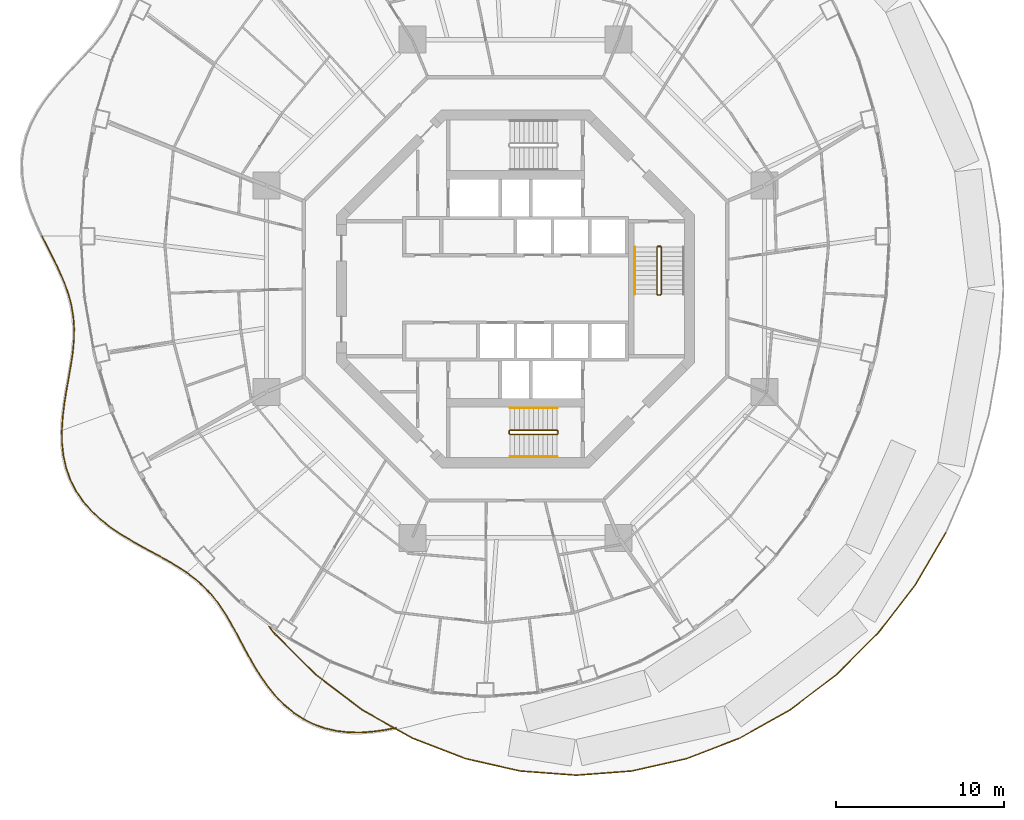
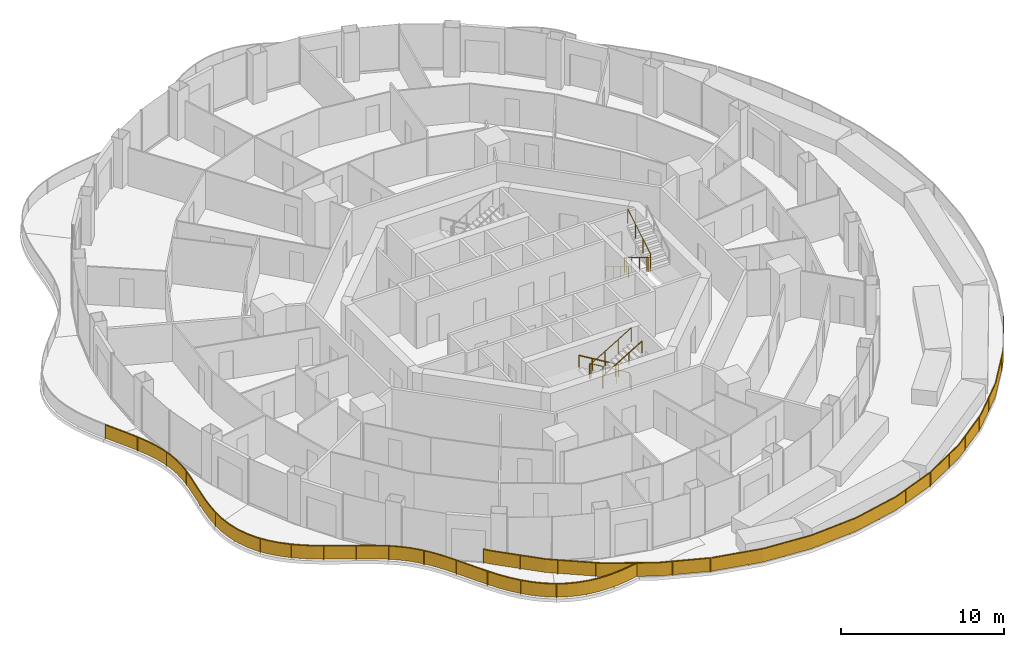
# One storey, part 16 of 18: 12 railings.
"""IFC4 building model written with IfcOpenShell, lengths in metres."""

from ifc_helpers import new_model, si_unit, direction, frame, origin, origin_2d, place, context, subcontext, project, spatial, polyline, rectangle, circle, outline, extrude, material, type_object, element, save


model = new_model("IFC4")

# Units and contexts
model_context = context("Model", 3, precision=1e-05, world=origin(), true_north=direction((0.0, 1.0)))
body_context = subcontext(model_context, "Body", "Model", "MODEL_VIEW")
ifc_project = project(units=[si_unit("LENGTHUNIT", "METRE"), si_unit("AREAUNIT", "SQUARE_METRE"), si_unit("VOLUMEUNIT", "CUBIC_METRE"), si_unit("PLANEANGLEUNIT", "RADIAN"), si_unit("MASSUNIT", "GRAM", prefix="KILO")], contexts=[model_context])

# Site, building, storey
site_placement = place(None, origin())
site = spatial("IfcSite", under=ifc_project, at=site_placement, CompositionType="ELEMENT")
building_placement = place(site_placement, origin())
building = spatial("IfcBuilding", under=site, at=building_placement, Name="Nagisa Residences", CompositionType="ELEMENT")
storey_placement = place(building_placement, frame((0.0, 0.0, 212.199951171875)))
storey = spatial("IfcBuildingStorey", under=building, at=storey_placement, Name="L53", CompositionType="ELEMENT", Elevation=212.199951171875)

# Railings
ifc_material_1 = material(Name="Stainless steel 316", Category="steel")
railing_type_1 = type_object("IfcRailingType", Name="BALCONY GUARD 1100", PredefinedType="BALUSTRADE", material=ifc_material_1)
railing_1_placement = place(storey_placement, frame((-28.10009765625, 3.11767578125, 0.0)))
element("IfcRailing", 1, at=railing_1_placement, inside=storey, type_object=railing_type_1, Name="guard:L53:bal08-0", PredefinedType="BALUSTRADE", context=body_context, shape_type="SweptSolid", body=[
    extrude(outline(polyline([(0.377197265625, -0.693115234375), (0.0224609375, 0.01123046875), (-0.0224609375, -0.01123046875), (0.332275390625, -0.715576171875), (0.68310546875, -1.412353515625), (1.01171875, -2.09619140625), (1.3017578125, -2.770751953125), (1.54052734375, -3.4404296875), (1.717529296875, -4.09619140625), (1.8310546875, -4.771484375), (1.87939453125, -5.4580078125), (1.866943359375, -6.159912109375), (1.801513671875, -6.880615234375), (1.69287109375, -7.60791015625), (1.5625, -8.36865234375), (1.4248046875, -9.1474609375), (1.29833984375, -9.939453125), (1.2021484375, -10.73876953125), (1.1513671875, -11.530517578125), (1.201171875, -11.533935546875), (1.251953125, -10.7431640625), (1.34814453125, -9.9462890625), (1.47412109375, -9.15576171875), (1.61181640625, -8.37744140625), (1.7421875, -7.61572265625), (1.851318359375, -6.886474609375), (1.916748046875, -6.162841796875), (1.9296875, -5.45654296875), (1.880859375, -4.765625), (1.766357421875, -4.08544921875), (1.58837890625, -3.42529296875), (1.34814453125, -2.752197265625), (1.05712890625, -2.07568359375), (0.72802734375, -1.390380859375), (0.377197265625, -0.693115234375)])), frame((0.0, 0.0, 1.050048828125)), (0.0, 0.0, 1.0), 0.050048828125),
    extrude(outline(polyline([(0.361083984375, -0.701171875), (0.00634765625, 0.003173828125), (-0.00634765625, -0.003173828125), (0.348388671875, -0.70751953125), (0.69921875, -1.404541015625), (1.028076171875, -2.0888671875), (1.318359375, -2.763916015625), (1.557861328125, -3.43505859375), (1.735107421875, -4.09228515625), (1.848876953125, -4.769287109375), (1.8974609375, -5.45751953125), (1.884765625, -6.160888671875), (1.819580078125, -6.8828125), (1.710693359375, -7.610595703125), (1.580322265625, -8.371826171875), (1.442626953125, -9.150390625), (1.31640625, -9.94189453125), (1.219970703125, -10.740234375), (1.169189453125, -11.53173828125), (1.183349609375, -11.53271484375), (1.234130859375, -10.74169921875), (1.330078125, -9.94384765625), (1.456298828125, -9.15283203125), (1.593994140625, -8.374267578125), (1.724365234375, -7.613037109375), (1.833251953125, -6.88427734375), (1.89892578125, -6.161865234375), (1.91162109375, -5.45703125), (1.863037109375, -4.767822265625), (1.748779296875, -4.08935546875), (1.571044921875, -3.4306640625), (1.33154296875, -2.759033203125), (1.040771484375, -2.0830078125), (0.7119140625, -1.398193359375), (0.361083984375, -0.701171875)])), frame((0.0, 0.0, 0.06005859375)), (0.0, 0.0, 1.0), 0.989990234375),
    extrude(rectangle(XDim=0.0400390625, YDim=0.0400390625, at=origin_2d()), origin(), (0.0, 0.0, 1.0), 1.050048828125),
    extrude(rectangle(XDim=0.0400390625, YDim=0.0400390625, at=origin_2d()), frame((1.059814453125, -2.144775390625, 0.0)), (0.0, 0.0, 1.0), 1.050048828125),
    extrude(rectangle(XDim=0.0400390625, YDim=0.0400390625, at=origin_2d()), frame((1.796142578125, -4.4130859375, 0.0)), (0.0, 0.0, 1.0), 1.050048828125),
    extrude(rectangle(XDim=0.0400390625, YDim=0.0400390625, at=origin_2d()), frame((1.834228515625, -6.796142578125, 0.0)), (0.0, 0.0, 1.0), 1.050048828125),
    extrude(rectangle(XDim=0.0400390625, YDim=0.0400390625, at=origin_2d()), frame((1.448486328125, -9.156982421875, 0.0)), (0.0, 0.0, 1.0), 1.050048828125),
    extrude(rectangle(XDim=0.0400390625, YDim=0.0400390625, at=origin_2d()), frame((1.17626953125, -11.5322265625, 0.0)), (0.0, 0.0, 1.0), 1.050048828125),
])
railing_2_placement = place(storey_placement, frame((-26.923828125, -8.41455078125, 0.0)))
element("IfcRailing", 2, at=railing_2_placement, inside=storey, type_object=railing_type_1, Name="guard:L53:bal09-0", PredefinedType="BALUSTRADE", context=body_context, shape_type="SweptSolid", body=[
    extrude(outline(polyline([(0.035400390625, -0.7568359375), (0.02490234375, 0.000244140625), (-0.02490234375, -0.000244140625), (-0.014404296875, -0.759765625), (0.06982421875, -1.51123046875), (0.233642578125, -2.23876953125), (0.48193359375, -2.9345703125), (0.815185546875, -3.59228515625), (1.2236328125, -4.194580078125), (1.714599609375, -4.76416015625), (2.27099609375, -5.28759765625), (2.880126953125, -5.766845703125), (3.52880859375, -6.206298828125), (4.1923828125, -6.599609375), (4.872314453125, -6.98046875), (5.54638671875, -7.346435546875), (6.20068359375, -7.7080078125), (6.82470703125, -8.07666015625), (7.40625, -8.45751953125), (7.43359375, -8.41552734375), (6.85107421875, -8.0341796875), (6.2255859375, -7.66455078125), (5.5703125, -7.302490234375), (4.896728515625, -6.9365234375), (4.21728515625, -6.55615234375), (3.5556640625, -6.163818359375), (2.909912109375, -5.726318359375), (2.3037109375, -5.24951171875), (1.750732421875, -4.7294921875), (1.263671875, -4.164306640625), (0.858154296875, -3.56689453125), (0.52783203125, -2.91455078125), (0.281982421875, -2.224609375), (0.119140625, -1.5029296875), (0.035400390625, -0.7568359375)])), frame((0.0, 0.0, 1.050048828125)), (0.0, 0.0, 1.0), 0.050048828125),
    extrude(outline(polyline([(0.017578125, -0.7578125), (0.007080078125, 0.0), (-0.007080078125, 0.0), (0.00341796875, -0.7587890625), (0.087646484375, -1.50830078125), (0.2509765625, -2.233642578125), (0.49853515625, -2.92724609375), (0.83056640625, -3.583251953125), (1.238037109375, -4.18359375), (1.7275390625, -4.751708984375), (2.28271484375, -5.27392578125), (2.890869140625, -5.752197265625), (3.53857421875, -6.19091796875), (4.201416015625, -6.583984375), (4.881103515625, -6.964599609375), (5.554931640625, -7.33056640625), (6.209716796875, -7.6923828125), (6.834228515625, -8.061279296875), (7.416015625, -8.4423828125), (7.423828125, -8.4306640625), (6.841552734375, -8.049560546875), (6.216552734375, -7.68017578125), (5.561767578125, -7.318359375), (4.887939453125, -6.952392578125), (4.208251953125, -6.57177734375), (3.5458984375, -6.17919921875), (2.899169921875, -5.740966796875), (2.2919921875, -5.26318359375), (1.73779296875, -4.741943359375), (1.249267578125, -4.17529296875), (0.8427734375, -3.575927734375), (0.51123046875, -2.921875), (0.2646484375, -2.229736328125), (0.101318359375, -1.505859375), (0.017578125, -0.7578125)])), frame((0.0, 0.0, 0.06005859375)), (0.0, 0.0, 1.0), 0.989990234375),
    extrude(rectangle(XDim=0.0400390625, YDim=0.0400390625, at=origin_2d()), origin(), (0.0, 0.0, 1.0), 1.050048828125),
    extrude(rectangle(XDim=0.0400390625, YDim=0.0400390625, at=origin_2d()), frame((0.201904296875, -1.9833984375, 0.0)), (0.0, 0.0, 1.0), 1.050048828125),
    extrude(rectangle(XDim=0.0400390625, YDim=0.0400390625, at=origin_2d()), frame((0.991455078125, -3.8076171875, 0.0)), (0.0, 0.0, 1.0), 1.050048828125),
    extrude(rectangle(XDim=0.0400390625, YDim=0.0400390625, at=origin_2d()), frame((2.319091796875, -5.29345703125, 0.0)), (0.0, 0.0, 1.0), 1.050048828125),
    extrude(rectangle(XDim=0.0400390625, YDim=0.0400390625, at=origin_2d()), frame((3.959716796875, -6.4326171875, 0.0)), (0.0, 0.0, 1.0), 1.050048828125),
    extrude(rectangle(XDim=0.0400390625, YDim=0.0400390625, at=origin_2d()), frame((5.70654296875, -7.406494140625, 0.0)), (0.0, 0.0, 1.0), 1.050048828125),
    extrude(rectangle(XDim=0.0400390625, YDim=0.0400390625, at=origin_2d()), frame((7.419921875, -8.4365234375, 0.0)), (0.0, 0.0, 1.0), 1.050048828125),
])
railing_3_placement = place(storey_placement, frame((-19.50390625, -16.85107421875, 0.0)))
element("IfcRailing", 3, at=railing_3_placement, inside=storey, type_object=railing_type_1, Name="guard:L53:bal10-0", PredefinedType="BALUSTRADE", context=body_context, shape_type="SweptSolid", body=[
    extrude(outline(polyline([(0.52978515625, -0.369384765625), (0.01513671875, 0.02001953125), (-0.01513671875, -0.02001953125), (0.498046875, -0.407958984375), (0.97509765625, -0.8330078125), (1.4130859375, -1.29443359375), (1.815673828125, -1.7958984375), (2.189453125, -2.33740234375), (2.530029296875, -2.90576171875), (2.87158203125, -3.517822265625), (3.211669921875, -4.154296875), (3.560791015625, -4.80615234375), (3.928955078125, -5.461181640625), (4.3125, -6.09765625), (4.74365234375, -6.71923828125), (5.217041015625, -7.3037109375), (5.7353515625, -7.838134765625), (6.299560546875, -8.31103515625), (6.8994140625, -8.707763671875), (6.92724609375, -8.666259765625), (6.329345703125, -8.27099609375), (5.76953125, -7.801513671875), (5.254638671875, -7.2705078125), (4.78369140625, -6.68896484375), (4.3544921875, -6.0703125), (3.972412109375, -5.435791015625), (3.604736328125, -4.7822265625), (3.255615234375, -4.130859375), (2.91552734375, -3.493896484375), (2.573486328125, -2.880859375), (2.2314453125, -2.31005859375), (1.855712890625, -1.76611328125), (1.45068359375, -1.26171875), (1.009765625, -0.796875), (0.52978515625, -0.369384765625)])), frame((0.0, 0.0, 1.050048828125)), (0.0, 0.0, 1.0), 0.050048828125),
    extrude(outline(polyline([(0.518310546875, -0.38330078125), (0.004150390625, 0.005615234375), (-0.004150390625, -0.005615234375), (0.509521484375, -0.39404296875), (0.987548828125, -0.820068359375), (1.426513671875, -1.28271484375), (1.830078125, -1.78515625), (2.20458984375, -2.32763671875), (2.545654296875, -2.896728515625), (2.887451171875, -3.50927734375), (3.2275390625, -4.14599609375), (3.57666015625, -4.797607421875), (3.944580078125, -5.451904296875), (4.32763671875, -6.087890625), (4.758056640625, -6.708251953125), (5.230712890625, -7.291748046875), (5.74755859375, -7.824951171875), (6.310302734375, -8.296630859375), (6.909423828125, -8.69287109375), (6.917236328125, -8.68115234375), (6.318603515625, -8.285400390625), (5.75732421875, -7.814697265625), (5.240966796875, -7.282470703125), (4.769287109375, -6.699951171875), (4.33935546875, -6.080078125), (3.956787109375, -5.445068359375), (3.5888671875, -4.790771484375), (3.23974609375, -4.13916015625), (2.899658203125, -3.50244140625), (2.557861328125, -2.889892578125), (2.21630859375, -2.31982421875), (1.84130859375, -1.77685546875), (1.437255859375, -1.2734375), (0.997314453125, -0.809814453125), (0.518310546875, -0.38330078125)])), frame((0.0, 0.0, 0.06005859375)), (0.0, 0.0, 1.0), 0.989990234375),
    extrude(rectangle(XDim=0.0400390625, YDim=0.0400390625, at=origin_2d()), origin(), (0.0, 0.0, 1.0), 1.050048828125),
    extrude(rectangle(XDim=0.0400390625, YDim=0.0400390625, at=origin_2d()), frame((1.6357421875, -1.531982421875, 0.0)), (0.0, 0.0, 1.0), 1.050048828125),
    extrude(rectangle(XDim=0.0400390625, YDim=0.0400390625, at=origin_2d()), frame((2.84716796875, -3.422607421875, 0.0)), (0.0, 0.0, 1.0), 1.050048828125),
    extrude(rectangle(XDim=0.0400390625, YDim=0.0400390625, at=origin_2d()), frame((3.92236328125, -5.39794921875, 0.0)), (0.0, 0.0, 1.0), 1.050048828125),
    extrude(rectangle(XDim=0.0400390625, YDim=0.0400390625, at=origin_2d()), frame((5.20068359375, -7.243896484375, 0.0)), (0.0, 0.0, 1.0), 1.050048828125),
    extrude(rectangle(XDim=0.0400390625, YDim=0.0400390625, at=origin_2d()), frame((6.913330078125, -8.68701171875, 0.0)), (0.0, 0.0, 1.0), 1.050048828125),
])
railing_4_placement = place(storey_placement, frame((-12.590576171875, -25.5380859375, 0.0)))
element("IfcRailing", 4, at=railing_4_placement, inside=storey, type_object=railing_type_1, Name="guard:L53:bal11-0", PredefinedType="BALUSTRADE", context=body_context, shape_type="SweptSolid", body=[
    extrude(outline(polyline([(0.62548828125, -0.285400390625), (0.01123046875, 0.0224609375), (-0.01123046875, -0.0224609375), (0.60595703125, -0.331298828125), (1.26611328125, -0.568115234375), (1.953857421875, -0.727783203125), (2.6630859375, -0.8125), (3.385986328125, -0.827880859375), (4.098388671875, -0.775390625), (4.826904296875, -0.676025390625), (5.5126953125, -0.543701171875), (5.50341796875, -0.494384765625), (4.818603515625, -0.626708984375), (4.093017578125, -0.7255859375), (3.384521484375, -0.777587890625), (2.66650390625, -0.7626953125), (1.962646484375, -0.678466796875), (1.2802734375, -0.520263671875), (0.62548828125, -0.285400390625)])), frame((0.0, 0.0, 1.050048828125)), (0.0, 0.0, 1.0), 0.050048828125),
    extrude(outline(polyline([(0.618408203125, -0.302001953125), (0.003173828125, 0.00634765625), (-0.003173828125, -0.00634765625), (0.613037109375, -0.314697265625), (1.271240234375, -0.551025390625), (1.95703125, -0.7099609375), (2.664306640625, -0.794677734375), (3.385498046875, -0.809814453125), (4.096435546875, -0.757568359375), (4.823974609375, -0.658203125), (5.50927734375, -0.52587890625), (5.5068359375, -0.51220703125), (4.821533203125, -0.64453125), (4.094970703125, -0.743408203125), (3.385009765625, -0.795654296875), (2.665283203125, -0.780517578125), (1.95947265625, -0.6962890625), (1.275146484375, -0.537353515625), (0.618408203125, -0.302001953125)])), frame((0.0, 0.0, 0.06005859375)), (0.0, 0.0, 1.0), 0.989990234375),
    extrude(rectangle(XDim=0.0400390625, YDim=0.0400390625, at=origin_2d()), origin(), (0.0, 0.0, 1.0), 1.050048828125),
    extrude(rectangle(XDim=0.0400390625, YDim=0.0400390625, at=origin_2d()), frame((1.761962890625, -0.657470703125, 0.0)), (0.0, 0.0, 1.0), 1.050048828125),
    extrude(rectangle(XDim=0.0400390625, YDim=0.0400390625, at=origin_2d()), frame((3.639892578125, -0.783935546875, 0.0)), (0.0, 0.0, 1.0), 1.050048828125),
    extrude(rectangle(XDim=0.0400390625, YDim=0.0400390625, at=origin_2d()), frame((5.508056640625, -0.51904296875, 0.0)), (0.0, 0.0, 1.0), 1.050048828125),
])
ifc_material_2 = material(Name="Stainless steel 316", Category="steel")
railing_type_2 = type_object("IfcRailingType", Name="ROOF GUARD 1100", PredefinedType="GUARDRAIL", material=ifc_material_2)
railing_5_placement = place(storey_placement, frame((-14.62255859375, -20.0546875, 0.0)))
element("IfcRailing", 5, at=railing_5_placement, inside=storey, type_object=railing_type_2, Name="guard:L53:garden03", PredefinedType="GUARDRAIL", context=body_context, shape_type="SweptSolid", body=[
    extrude(outline(polyline([(0.298583984375, -0.346435546875), (0.019775390625, 0.015380859375), (-0.019775390625, -0.015380859375), (0.260986328125, -0.379638671875), (2.758544921875, -2.8720703125), (5.521484375, -4.972900390625), (8.501220703125, -6.64501953125), (11.608642578125, -7.845458984375), (11.626708984375, -7.798583984375), (8.522705078125, -6.599609375), (5.548828125, -4.930908203125), (2.791748046875, -2.83447265625), (0.298583984375, -0.346435546875)])), frame((0.0, 0.0, 1.050048828125)), (0.0, 0.0, 1.0), 0.050048828125),
    extrude(outline(polyline([(0.28515625, -0.3583984375), (0.005615234375, 0.00439453125), (-0.005615234375, -0.00439453125), (0.2744140625, -0.36767578125), (2.7705078125, -2.858642578125), (5.53125, -4.957763671875), (8.509033203125, -6.628662109375), (11.615234375, -7.82861328125), (11.6201171875, -7.8154296875), (8.514892578125, -6.615966796875), (5.5390625, -4.946044921875), (2.77978515625, -2.847900390625), (0.28515625, -0.3583984375)])), frame((0.0, 0.0, 0.06005859375)), (0.0, 0.0, 1.0), 0.989990234375),
    extrude(rectangle(XDim=0.0400390625, YDim=0.0400390625, at=origin_2d()), origin(), (0.0, 0.0, 1.0), 1.050048828125),
    extrude(rectangle(XDim=0.0400390625, YDim=0.0400390625, at=origin_2d()), frame((1.6298828125, -1.710205078125, 0.0)), (0.0, 0.0, 1.0), 1.050048828125),
    extrude(rectangle(XDim=0.0400390625, YDim=0.0400390625, at=origin_2d()), frame((3.3701171875, -3.3056640625, 0.0)), (0.0, 0.0, 1.0), 1.050048828125),
    extrude(rectangle(XDim=0.0400390625, YDim=0.0400390625, at=origin_2d()), frame((5.25341796875, -4.737548828125, 0.0)), (0.0, 0.0, 1.0), 1.050048828125),
    extrude(rectangle(XDim=0.0400390625, YDim=0.0400390625, at=origin_2d()), frame((7.289306640625, -5.936279296875, 0.0)), (0.0, 0.0, 1.0), 1.050048828125),
    extrude(rectangle(XDim=0.0400390625, YDim=0.0400390625, at=origin_2d()), frame((9.410888671875, -6.969482421875, 0.0)), (0.0, 0.0, 1.0), 1.050048828125),
    extrude(rectangle(XDim=0.0400390625, YDim=0.0400390625, at=origin_2d()), frame((11.61767578125, -7.822021484375, 0.0)), (0.0, 0.0, 1.0), 1.050048828125),
])
railing_6_placement = place(storey_placement, frame((-2.928466796875, -27.89990234375, 0.0)))
element("IfcRailing", 6, at=railing_6_placement, inside=storey, type_object=railing_type_2, Name="guard:L53:garden04", PredefinedType="GUARDRAIL", context=body_context, shape_type="SweptSolid", body=[
    extrude(outline(polyline([(3.219970703125, -0.703125), (0.005615234375, 0.0244140625), (-0.005615234375, -0.0244140625), (3.212646484375, -0.7529296875), (6.528564453125, -1.000244140625), (9.84423828125, -0.7529296875), (13.103271484375, -0.01513671875), (16.210693359375, 1.18505859375), (16.192626953125, 1.23193359375), (13.088623046875, 0.03271484375), (9.8369140625, -0.703125), (6.528564453125, -0.949951171875), (3.219970703125, -0.703125)])), frame((0.0, 0.0, 1.050048828125)), (0.0, 0.0, 1.0), 0.050048828125),
    extrude(outline(polyline([(3.21728515625, -0.72119140625), (0.00146484375, 0.0068359375), (-0.00146484375, -0.0068359375), (3.21533203125, -0.73486328125), (6.528564453125, -0.982177734375), (9.841552734375, -0.73486328125), (13.097900390625, 0.001953125), (16.2041015625, 1.201904296875), (16.19921875, 1.215087890625), (13.093994140625, 0.015625), (9.839599609375, -0.72119140625), (6.528564453125, -0.968017578125), (3.21728515625, -0.72119140625)])), frame((0.0, 0.0, 0.06005859375)), (0.0, 0.0, 1.0), 0.989990234375),
    extrude(rectangle(XDim=0.0400390625, YDim=0.0400390625, at=origin_2d()), origin(), (0.0, 0.0, 1.0), 1.050048828125),
    extrude(rectangle(XDim=0.0400390625, YDim=0.0400390625, at=origin_2d()), frame((2.31396484375, -0.523681640625, 0.0)), (0.0, 0.0, 1.0), 1.050048828125),
    extrude(rectangle(XDim=0.0400390625, YDim=0.0400390625, at=origin_2d()), frame((4.65966796875, -0.835693359375, 0.0)), (0.0, 0.0, 1.0), 1.050048828125),
    extrude(rectangle(XDim=0.0400390625, YDim=0.0400390625, at=origin_2d()), frame((7.025634765625, -0.93798828125, 0.0)), (0.0, 0.0, 1.0), 1.050048828125),
    extrude(rectangle(XDim=0.0400390625, YDim=0.0400390625, at=origin_2d()), frame((9.391357421875, -0.761474609375, 0.0)), (0.0, 0.0, 1.0), 1.050048828125),
    extrude(rectangle(XDim=0.0400390625, YDim=0.0400390625, at=origin_2d()), frame((11.71533203125, -0.3037109375, 0.0)), (0.0, 0.0, 1.0), 1.050048828125),
    extrude(rectangle(XDim=0.0400390625, YDim=0.0400390625, at=origin_2d()), frame((13.988525390625, 0.353515625, 0.0)), (0.0, 0.0, 1.0), 1.050048828125),
    extrude(rectangle(XDim=0.0400390625, YDim=0.0400390625, at=origin_2d()), frame((16.20166015625, 1.20849609375, 0.0)), (0.0, 0.0, 1.0), 1.050048828125),
])
railing_7_placement = place(storey_placement, frame((13.345458984375, -26.657470703125, 0.0)))
element("IfcRailing", 7, at=railing_7_placement, inside=storey, type_object=railing_type_2, Name="guard:L53:garden05", PredefinedType="GUARDRAIL", context=body_context, shape_type="SweptSolid", body=[
    extrude(outline(polyline([(2.928466796875, 1.671875), (-0.01220703125, 0.021728515625), (0.01220703125, -0.021728515625), (2.955810546875, 1.6298828125), (5.718505859375, 3.730712890625), (8.216064453125, 6.22314453125), (10.40673828125, 9.065673828125), (12.231201171875, 12.1728515625), (12.188232421875, 12.1982421875), (10.365234375, 9.093505859375), (8.178466796875, 6.25634765625), (5.685302734375, 3.768310546875), (2.928466796875, 1.671875)])), frame((0.0, 0.0, 1.050048828125)), (0.0, 0.0, 1.0), 0.050048828125),
    extrude(outline(polyline([(2.938232421875, 1.65673828125), (-0.00341796875, 0.006103515625), (0.00341796875, -0.006103515625), (2.946044921875, 1.64501953125), (5.70654296875, 3.744140625), (8.20263671875, 6.235107421875), (10.391845703125, 9.07568359375), (12.2158203125, 12.181884765625), (12.20361328125, 12.189208984375), (10.380126953125, 9.08349609375), (8.19189453125, 6.244384765625), (5.697265625, 3.7548828125), (2.938232421875, 1.65673828125)])), frame((0.0, 0.0, 0.06005859375)), (0.0, 0.0, 1.0), 0.989990234375),
    extrude(rectangle(XDim=0.0400390625, YDim=0.0400390625, at=origin_2d()), origin(), (0.0, 0.0, 1.0), 1.050048828125),
    extrude(rectangle(XDim=0.0400390625, YDim=0.0400390625, at=origin_2d()), frame((1.91357421875, 1.07373046875, 0.0)), (0.0, 0.0, 1.0), 1.050048828125),
    extrude(rectangle(XDim=0.0400390625, YDim=0.0400390625, at=origin_2d()), frame((3.749755859375, 2.26513671875, 0.0)), (0.0, 0.0, 1.0), 1.050048828125),
    extrude(rectangle(XDim=0.0400390625, YDim=0.0400390625, at=origin_2d()), frame((5.496337890625, 3.59326171875, 0.0)), (0.0, 0.0, 1.0), 1.050048828125),
    extrude(rectangle(XDim=0.0400390625, YDim=0.0400390625, at=origin_2d()), frame((7.072265625, 5.116943359375, 0.0)), (0.0, 0.0, 1.0), 1.050048828125),
    extrude(rectangle(XDim=0.0400390625, YDim=0.0400390625, at=origin_2d()), frame((8.56640625, 6.71875, 0.0)), (0.0, 0.0, 1.0), 1.050048828125),
    extrude(rectangle(XDim=0.0400390625, YDim=0.0400390625, at=origin_2d()), frame((9.90576171875, 8.45654296875, 0.0)), (0.0, 0.0, 1.0), 1.050048828125),
    extrude(rectangle(XDim=0.0400390625, YDim=0.0400390625, at=origin_2d()), frame((11.0986328125, 10.29345703125, 0.0)), (0.0, 0.0, 1.0), 1.050048828125),
    extrude(rectangle(XDim=0.0400390625, YDim=0.0400390625, at=origin_2d()), frame((12.209716796875, 12.185546875, 0.0)), (0.0, 0.0, 1.0), 1.050048828125),
])
ifc_material_3 = material(Name="Stainless steel", Category="steel")
railing_type_3 = type_object("IfcRailingType", Name="Stair guard 1100", PredefinedType="GUARDRAIL", material=ifc_material_3)
railing_8_placement = place(storey_placement, frame((8.599609375, 2.52490234375, 0.0)))
element("IfcRailing", 8, at=railing_8_placement, inside=storey, type_object=railing_type_3, Name="L53 ST-E stair guard 1", PredefinedType="GUARDRAIL", context=body_context, shape_type="SweptSolid", body=[
    extrude(circle(Radius=0.02392578125, at=origin_2d()), frame((0.0, 0.0, 1.076171875), z_axis=(-1.0, 0.0, 0.0), x_axis=(0.0, -1.0, 0.0)), (0.0, 0.0, 1.0), 0.14990234375),
    extrude(circle(Radius=0.02392578125, at=origin_2d()), frame((-0.14990234375, 0.0, 1.076171875), z_axis=(-0.27434429532, -0.273006030465, 0.922064485248), x_axis=(0.705375805398, -0.708833529934, 0.0)), (0.0, 0.0, 1.0), 0.182373046875),
    extrude(circle(Radius=0.02392578125, at=origin_2d()), frame((-0.199951171875, -0.0498046875, 1.244140625), z_axis=(0.0, -0.857242210791, 0.514913383045), x_axis=(1.0, 0.0, 0.0)), (0.0, 0.0, 1.0), 3.266357421875),
    extrude(circle(Radius=0.02392578125, at=origin_2d()), frame((-0.199951171875, -2.849853515625, 2.92626953125), z_axis=(0.707106781187, -0.707106781187, 0.0), x_axis=(0.707106781187, 0.707106781187, 0.0)), (0.0, 0.0, 1.0), 0.07080078125),
    extrude(circle(Radius=0.02392578125, at=origin_2d()), frame((-0.14990234375, -2.89990234375, 2.92626953125), z_axis=(1.0, 0.0, 0.0), x_axis=(0.0, 1.0, 0.0)), (0.0, 0.0, 1.0), 0.14990234375),
    extrude(circle(Radius=0.02392578125, at=origin_2d()), frame((0.0, -2.89990234375, 2.92626953125), z_axis=(0.274243871929, 0.274243871929, 0.92172696468), x_axis=(-0.707106781187, 0.707106781187, 0.0)), (0.0, 0.0, 1.0), 0.1826171875),
    extrude(circle(Radius=0.02392578125, at=origin_2d()), frame((0.050048828125, -2.849853515625, 3.09423828125), z_axis=(0.0, 0.857275202839, 0.514858452973), x_axis=(-1.0, 0.0, 0.0)), (0.0, 0.0, 1.0), 3.26611328125),
    extrude(circle(Radius=0.02099609375, at=origin_2d()), origin(), (0.0, 0.0, 1.0), 1.052001953125),
    extrude(circle(Radius=0.02099609375, at=origin_2d()), frame((-0.14990234375, 0.0, 0.0)), (0.0, 0.0, 1.0), 1.052001953125),
    extrude(circle(Radius=0.02099609375, at=origin_2d()), frame((-0.199951171875, -0.0498046875, 0.168212890625)), (0.0, 0.0, 1.0), 1.052001953125),
    extrude(circle(Radius=0.02099609375, at=origin_2d()), frame((-0.199951171875, -0.983154296875, 0.728759765625)), (0.0, 0.0, 1.0), 1.052001953125),
    extrude(circle(Radius=0.02099609375, at=origin_2d()), frame((-0.199951171875, -1.91650390625, 1.28955078125)), (0.0, 0.0, 1.0), 1.052001953125),
    extrude(circle(Radius=0.02099609375, at=origin_2d()), frame((-0.199951171875, -2.849853515625, 1.85009765625)), (0.0, 0.0, 1.0), 1.052001953125),
    extrude(circle(Radius=0.02099609375, at=origin_2d()), frame((-0.14990234375, -2.89990234375, 1.85009765625)), (0.0, 0.0, 1.0), 1.052001953125),
    extrude(circle(Radius=0.02099609375, at=origin_2d()), frame((0.0, -2.89990234375, 1.85009765625)), (0.0, 0.0, 1.0), 1.052001953125),
    extrude(circle(Radius=0.02099609375, at=origin_2d()), frame((0.050048828125, -2.849853515625, 2.018310546875)), (0.0, 0.0, 1.0), 1.052001953125),
    extrude(circle(Radius=0.02099609375, at=origin_2d()), frame((0.050048828125, -1.91650390625, 2.578857421875)), (0.0, 0.0, 1.0), 1.052001953125),
    extrude(circle(Radius=0.02099609375, at=origin_2d()), frame((0.050048828125, -0.983154296875, 3.139404296875)), (0.0, 0.0, 1.0), 1.052001953125),
    extrude(circle(Radius=0.02099609375, at=origin_2d()), frame((0.050048828125, -0.0498046875, 3.699951171875)), (0.0, 0.0, 1.0), 1.052001953125),
])
railing_9_placement = place(storey_placement, frame((2.52490234375, -8.599609375, 0.0)))
element("IfcRailing", 9, at=railing_9_placement, inside=storey, type_object=railing_type_3, Name="L53 ST-S stair guard 1", PredefinedType="GUARDRAIL", context=body_context, shape_type="SweptSolid", body=[
    extrude(circle(Radius=0.02392578125, at=origin_2d()), frame((0.0, 0.0, 1.076171875), z_axis=(0.0, 1.0, 0.0), x_axis=(-1.0, 0.0, 0.0)), (0.0, 0.0, 1.0), 0.14990234375),
    extrude(circle(Radius=0.02392578125, at=origin_2d()), frame((0.0, 0.14990234375, 1.076171875), z_axis=(-0.273006030465, 0.27434429532, 0.922064485248), x_axis=(-0.708833529934, -0.705375805398, 0.0)), (0.0, 0.0, 1.0), 0.182373046875),
    extrude(circle(Radius=0.02392578125, at=origin_2d()), frame((-0.0498046875, 0.199951171875, 1.244140625), z_axis=(-0.857242210791, 0.0, 0.514913383045), x_axis=(0.0, -1.0, 0.0)), (0.0, 0.0, 1.0), 3.266357421875),
    extrude(circle(Radius=0.02392578125, at=origin_2d()), frame((-2.849853515625, 0.199951171875, 2.92626953125), z_axis=(-0.707106781187, -0.707106781187, 0.0), x_axis=(0.707106781187, -0.707106781187, 0.0)), (0.0, 0.0, 1.0), 0.07080078125),
    extrude(circle(Radius=0.02392578125, at=origin_2d()), frame((-2.89990234375, 0.14990234375, 2.92626953125), z_axis=(0.0, -1.0, 0.0), x_axis=(1.0, 0.0, 0.0)), (0.0, 0.0, 1.0), 0.14990234375),
    extrude(circle(Radius=0.02392578125, at=origin_2d()), frame((-2.89990234375, 0.0, 2.92626953125), z_axis=(0.274243871929, -0.274243871929, 0.92172696468), x_axis=(0.707106781187, 0.707106781187, 0.0)), (0.0, 0.0, 1.0), 0.1826171875),
    extrude(circle(Radius=0.02392578125, at=origin_2d()), frame((-2.849853515625, -0.050048828125, 3.09423828125), z_axis=(0.857275202839, 0.0, 0.514858452973), x_axis=(0.0, 1.0, 0.0)), (0.0, 0.0, 1.0), 3.26611328125),
    extrude(circle(Radius=0.02099609375, at=origin_2d()), origin(), (0.0, 0.0, 1.0), 1.052001953125),
    extrude(circle(Radius=0.02099609375, at=origin_2d()), frame((0.0, 0.14990234375, 0.0)), (0.0, 0.0, 1.0), 1.052001953125),
    extrude(circle(Radius=0.02099609375, at=origin_2d()), frame((-0.0498046875, 0.199951171875, 0.168212890625)), (0.0, 0.0, 1.0), 1.052001953125),
    extrude(circle(Radius=0.02099609375, at=origin_2d()), frame((-0.983154296875, 0.199951171875, 0.728759765625)), (0.0, 0.0, 1.0), 1.052001953125),
    extrude(circle(Radius=0.02099609375, at=origin_2d()), frame((-1.91650390625, 0.199951171875, 1.28955078125)), (0.0, 0.0, 1.0), 1.052001953125),
    extrude(circle(Radius=0.02099609375, at=origin_2d()), frame((-2.849853515625, 0.199951171875, 1.85009765625)), (0.0, 0.0, 1.0), 1.052001953125),
    extrude(circle(Radius=0.02099609375, at=origin_2d()), frame((-2.89990234375, 0.14990234375, 1.85009765625)), (0.0, 0.0, 1.0), 1.052001953125),
    extrude(circle(Radius=0.02099609375, at=origin_2d()), frame((-2.89990234375, 0.0, 1.85009765625)), (0.0, 0.0, 1.0), 1.052001953125),
    extrude(circle(Radius=0.02099609375, at=origin_2d()), frame((-2.849853515625, -0.050048828125, 2.018310546875)), (0.0, 0.0, 1.0), 1.052001953125),
    extrude(circle(Radius=0.02099609375, at=origin_2d()), frame((-1.91650390625, -0.050048828125, 2.578857421875)), (0.0, 0.0, 1.0), 1.052001953125),
    extrude(circle(Radius=0.02099609375, at=origin_2d()), frame((-0.983154296875, -0.050048828125, 3.139404296875)), (0.0, 0.0, 1.0), 1.052001953125),
    extrude(circle(Radius=0.02099609375, at=origin_2d()), frame((-0.0498046875, -0.050048828125, 3.699951171875)), (0.0, 0.0, 1.0), 1.052001953125),
])
ifc_material_4 = material(Name="Stainless steel", Category="steel")
railing_type_4 = type_object("IfcRailingType", Name="Stair handrail 900", PredefinedType="HANDRAIL", material=ifc_material_4)
railing_10_placement = place(storey_placement, frame((7.07470703125, 2.47509765625, 0.168212890625)))
element("IfcRailing", 10, at=railing_10_placement, inside=storey, type_object=railing_type_4, Name="L53 ST-E stair handrail 1", PredefinedType="HANDRAIL", context=body_context, shape_type="SweptSolid", body=[
    extrude(circle(Radius=0.02392578125, at=origin_2d()), frame((0.0, 0.0, 0.8759765625), z_axis=(0.0, -0.857242210791, 0.514913383045), x_axis=(1.0, 0.0, 0.0)), (0.0, 0.0, 1.0), 3.266357421875),
    extrude(circle(Radius=0.02099609375, at=origin_2d()), origin(), (0.0, 0.0, 1.0), 0.851806640625),
    extrude(circle(Radius=0.02099609375, at=origin_2d()), frame((0.0, -0.933349609375, 0.560546875)), (0.0, 0.0, 1.0), 0.851806640625),
    extrude(circle(Radius=0.02099609375, at=origin_2d()), frame((0.0, -1.86669921875, 1.121337890625)), (0.0, 0.0, 1.0), 0.851806640625),
    extrude(circle(Radius=0.02099609375, at=origin_2d()), frame((0.0, -2.800048828125, 1.681884765625)), (0.0, 0.0, 1.0), 0.851806640625),
])
railing_11_placement = place(storey_placement, frame((2.47509765625, -7.07470703125, 0.168212890625)))
element("IfcRailing", 11, at=railing_11_placement, inside=storey, type_object=railing_type_4, Name="L53 ST-S stair handrail 1", PredefinedType="HANDRAIL", context=body_context, shape_type="SweptSolid", body=[
    extrude(circle(Radius=0.02392578125, at=origin_2d()), frame((0.0, 0.0, 0.8759765625), z_axis=(-0.857242210791, 0.0, 0.514913383045), x_axis=(0.0, -1.0, 0.0)), (0.0, 0.0, 1.0), 3.266357421875),
    extrude(circle(Radius=0.02099609375, at=origin_2d()), origin(), (0.0, 0.0, 1.0), 0.851806640625),
    extrude(circle(Radius=0.02099609375, at=origin_2d()), frame((-0.933349609375, 0.0, 0.560546875)), (0.0, 0.0, 1.0), 0.851806640625),
    extrude(circle(Radius=0.02099609375, at=origin_2d()), frame((-1.86669921875, 0.0, 1.121337890625)), (0.0, 0.0, 1.0), 0.851806640625),
    extrude(circle(Radius=0.02099609375, at=origin_2d()), frame((-2.800048828125, 0.0, 1.681884765625)), (0.0, 0.0, 1.0), 0.851806640625),
])
railing_12_placement = place(storey_placement, frame((-0.324951171875, -9.974609375, 2.018310546875)))
element("IfcRailing", 12, at=railing_12_placement, inside=storey, type_object=railing_type_4, Name="L53 ST-S stair handrail 2", PredefinedType="HANDRAIL", context=body_context, shape_type="SweptSolid", body=[
    extrude(circle(Radius=0.02392578125, at=origin_2d()), frame((0.0, 0.0, 0.8759765625), z_axis=(0.857275202839, 0.0, 0.514858452973), x_axis=(0.0, 1.0, 0.0)), (0.0, 0.0, 1.0), 3.26611328125),
    extrude(circle(Radius=0.02099609375, at=origin_2d()), origin(), (0.0, 0.0, 1.0), 0.851806640625),
    extrude(circle(Radius=0.02099609375, at=origin_2d()), frame((0.933349609375, 0.0, 0.560546875)), (0.0, 0.0, 1.0), 0.851806640625),
    extrude(circle(Radius=0.02099609375, at=origin_2d()), frame((1.86669921875, 0.0, 1.12109375)), (0.0, 0.0, 1.0), 0.851806640625),
    extrude(circle(Radius=0.02099609375, at=origin_2d()), frame((2.800048828125, 0.0, 1.681640625)), (0.0, 0.0, 1.0), 0.851806640625),
])

save(model, "model.ifc")
